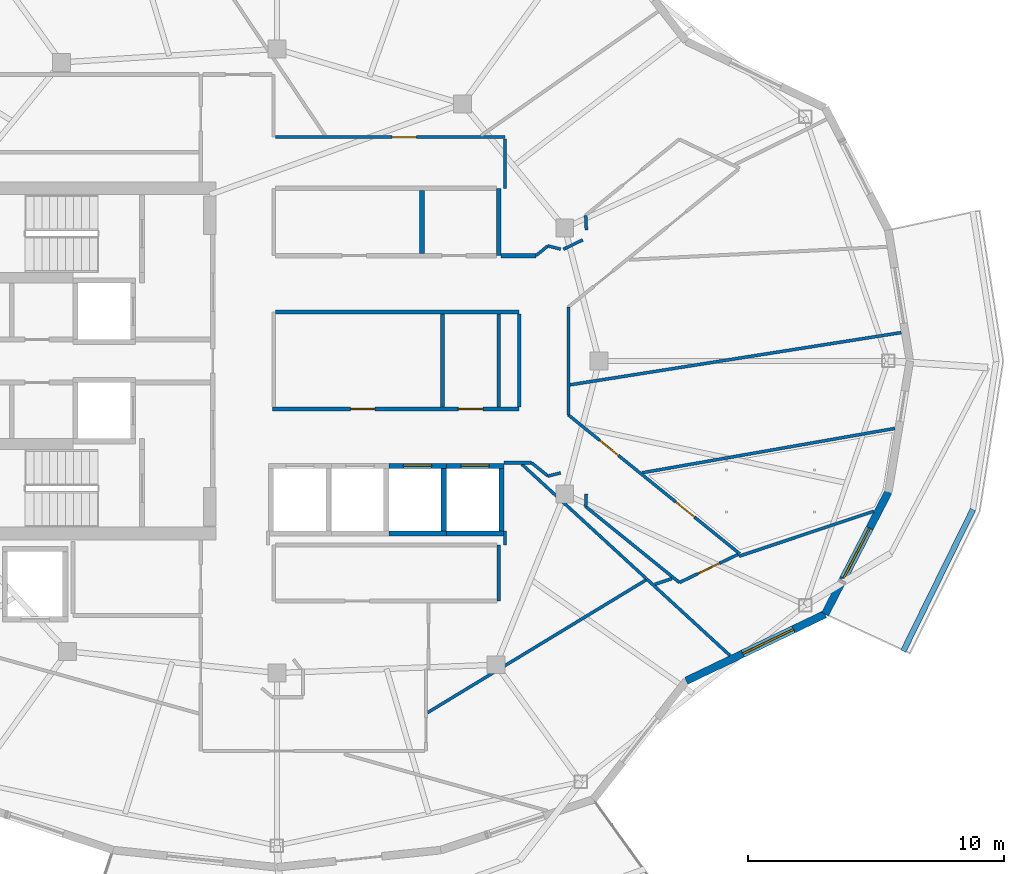
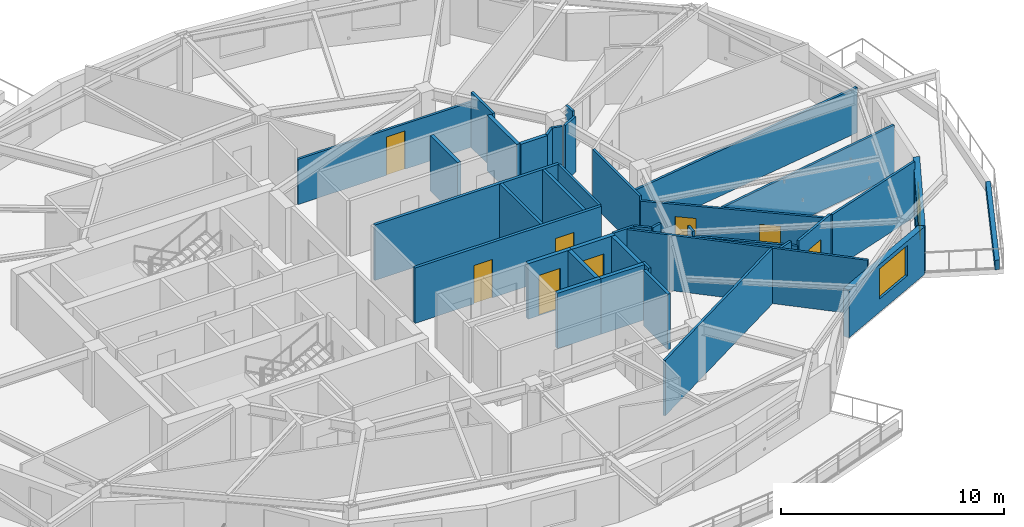
# One storey, part 5 of 14: 40 walls, 8 doors, 2 windows, 10 openings.
"""IFC4 building model written with IfcOpenShell, lengths in metres."""

from ifc_helpers import new_model, si_unit, direction, frame, frame_2d, origin, place, context, subcontext, project, spatial, rectangle, extrude, material, layer, layer_set, type_object, element, fill, save


model = new_model("IFC4")

# Units and contexts
model_context = context("Model", 3, precision=1e-05, world=origin(), true_north=direction((0.0, 1.0)))
body_context = subcontext(model_context, "Body", "Model", "MODEL_VIEW")
ifc_project = project(units=[si_unit("LENGTHUNIT", "METRE"), si_unit("AREAUNIT", "SQUARE_METRE"), si_unit("VOLUMEUNIT", "CUBIC_METRE"), si_unit("PLANEANGLEUNIT", "RADIAN"), si_unit("MASSUNIT", "GRAM", prefix="KILO")], contexts=[model_context])

# Site, building, storey
site_placement = place(None, origin())
site = spatial("IfcSite", under=ifc_project, at=site_placement, CompositionType="ELEMENT")
building_placement = place(site_placement, origin())
building = spatial("IfcBuilding", under=site, at=building_placement, Name="Kolvaren Gate Tower and Convention Centre", CompositionType="ELEMENT")
storey_placement = place(building_placement, frame((0.0, 0.0, 222.800048828125)))
storey = spatial("IfcBuildingStorey", under=building, at=storey_placement, Name="L59", CompositionType="ELEMENT", Elevation=222.800048828125)

# Walls
ifc_material_1 = material(Name="Autoclaved Aerated Masonry Blockwork Class 4 (4.0 MPa)", Category="masonry")
ifc_layer_1 = layer(ifc_material_1, 0.179931640625)
ifc_layer_set_1 = layer_set([ifc_layer_1], Name="Autoclaved Aerated Masonry Blockwork Class 4 (4.0 MPa)")
wall_type_1 = type_object("IfcWallType", Name="ARCH-WL-COMP-180", PredefinedType="SOLIDWALL", material=ifc_layer_set_1)
wall_1_placement = place(storey_placement, frame((38.800048828125, 31.1201171875, 0.0), z_axis=(0.0, 0.0, 1.0), x_axis=(0.0, 1.0, 0.0)))
element("IfcWall", 1, at=wall_1_placement, inside=storey, type_object=wall_type_1, Name="Interior Partition WL-L59-INT-022", PredefinedType="SOLIDWALL", context=body_context, shape_type="SweptSolid", body=[
    extrude(rectangle(XDim=2.6298828125, YDim=0.179931640625, at=frame_2d((1.31494140625, 0.0))), origin(), (0.0, 0.0, 1.0), 3.030029296875),
])
wall_2_placement = place(storey_placement, frame((38.89208984375, 31.1201171875, 0.0), z_axis=(0.0, 0.0, 1.0), x_axis=(1.0, 0.0, 0.0)))
element("IfcWall", 2, at=wall_2_placement, inside=storey, type_object=wall_type_1, Name="Interior Partition WL-L59-INT-023 (2)", PredefinedType="SOLIDWALL", context=body_context, shape_type="SweptSolid", body=[
    extrude(rectangle(XDim=1.36279296875, YDim=0.179931640625, at=frame_2d((0.681396484375, 0.0))), origin(), (0.0, 0.0, 1.0), 3.030029296875),
])
wall_3_placement = place(storey_placement, frame((35.800048828125, 31.2119140625, 0.0), z_axis=(0.0, 0.0, 1.0), x_axis=(0.0, 1.0, 0.0)))
element("IfcWall", 3, at=wall_3_placement, inside=storey, type_object=wall_type_1, Name="Interior Partition WL-L59-INT-025", PredefinedType="SOLIDWALL", context=body_context, shape_type="SweptSolid", body=[
    extrude(rectangle(XDim=2.446044921875, YDim=0.179931640625, at=frame_2d((1.22314453125, 0.0))), origin(), (0.0, 0.0, 1.0), 3.030029296875),
])

# Wall, opening, door
ifc_material_2 = material(Name="Fire-Rated Acoustic Gypsum Stud Partition", Category="gypsum")
ifc_layer_2 = layer(ifc_material_2, 0.1201171875)
ifc_layer_set_2 = layer_set([ifc_layer_2], Name="Fire-Rated Acoustic Gypsum Stud Partition")
wall_type_2 = type_object("IfcWallType", Name="ARCH-WL-PART-120", PredefinedType="PARTITIONING", material=ifc_layer_set_2)
wall_4_placement = place(storey_placement, frame((30.06201171875, 35.75, 0.0), z_axis=(0.0, 0.0, 1.0), x_axis=(1.0, 0.0, 0.0)))
wall_4 = element("IfcWall", 4, at=wall_4_placement, inside=storey, type_object=wall_type_2, Name="Interior Partition WL-L59-INT-031", PredefinedType="PARTITIONING", context=body_context, shape_type="SweptSolid", body=[
    extrude(rectangle(XDim=8.988037109375, YDim=0.1201171875, at=frame_2d((4.494140625, 0.0))), origin(), (0.0, 0.0, 1.0), 2.47802734375),
])
opening_1_placement = place(wall_4_placement, frame((4.566650390625, 0.0, 0.0)))
opening_1 = element("IfcOpeningElement", 5, at=opening_1_placement, cuts=wall_4, Name="Opening DR-01", PredefinedType="OPENING", context=body_context, shape_type="SweptSolid", body=[
    extrude(rectangle(XDim=0.949951171875, YDim=2.10009765625, at=frame_2d((0.47509765625, 1.050048828125))), frame((0.0, 0.070068359375, 0.0), z_axis=(0.0, -1.0, 0.0), x_axis=(1.0, 0.0, 0.0)), (0.0, 0.0, 1.0), 0.14013671875),
])
ifc_material_3 = material(Name="Painted Architectural Steelwork ASTM A500 Grade C 345 MPa", Category="steel")
door_type_1 = type_object("IfcDoorType", Name="ARCH-DR-RISER-950", OperationType="SINGLE_SWING_RIGHT", PredefinedType="DOOR", material=ifc_material_3)
door_1_placement = place(opening_1_placement, origin())
door_1 = element("IfcDoor", 6, at=door_1_placement, inside=storey, type_object=door_type_1, Name="Resident Private Study and Home Office Door", OperationType="SINGLE_SWING_LEFT", OverallHeight=2.10009765625, OverallWidth=0.949951171875, PredefinedType="DOOR", context=body_context, shape_type="SweptSolid", body=[
    extrude(rectangle(XDim=0.949951171875, YDim=2.10009765625, at=frame_2d((0.47509765625, 1.050048828125))), frame((0.0, 0.02490234375, 0.0), z_axis=(0.0, -1.0, 0.0), x_axis=(1.0, 0.0, 0.0)), (0.0, 0.0, 1.0), 0.050048828125),
])
fill(opening_1, door_1)

# Walls
wall_5_placement = place(storey_placement, frame((39.050048828125, 19.800048828125, 0.0), z_axis=(0.0, 0.0, 1.0), x_axis=(0.0, 1.0, 0.0)))
element("IfcWall", 7, at=wall_5_placement, inside=storey, type_object=wall_type_2, Name="Interior Partition WL-L59-INT-032", PredefinedType="PARTITIONING", context=body_context, shape_type="SweptSolid", body=[
    extrude(rectangle(XDim=0.56005859375, YDim=0.1201171875, at=frame_2d((0.280029296875, 0.0))), origin(), (0.0, 0.0, 1.0), 3.030029296875),
])
wall_6_placement = place(storey_placement, frame((39.050048828125, 33.75, 0.0), z_axis=(0.0, 0.0, 1.0), x_axis=(0.0, 1.0, 0.0)))
element("IfcWall", 8, at=wall_6_placement, inside=storey, type_object=wall_type_2, Name="Interior Partition WL-L59-INT-033", PredefinedType="PARTITIONING", context=body_context, shape_type="SweptSolid", body=[
    extrude(rectangle(XDim=1.93798828125, YDim=0.1201171875, at=frame_2d((0.968994140625, 0.0))), origin(), (0.0, 0.0, 1.0), 3.030029296875),
])
wall_7_placement = place(storey_placement, frame((40.2548828125, 31.1201171875, 0.0), z_axis=(0.0, 0.0, 1.0), x_axis=(0.776423627794, 0.630211353598, 0.0)))
element("IfcWall", 9, at=wall_7_placement, inside=storey, type_object=wall_type_2, Name="Interior Partition WL-L59-INT-034", PredefinedType="PARTITIONING", context=body_context, shape_type="SweptSolid", body=[
    extrude(rectangle(XDim=0.602783203125, YDim=0.1201171875, at=frame_2d((0.30126953125, 0.0))), origin(), (0.0, 0.0, 1.0), 3.030029296875),
])
wall_8_placement = place(storey_placement, frame((40.722900390625, 31.5, 0.0), z_axis=(0.0, 0.0, 1.0), x_axis=(0.970029850173, -0.24298578101, 0.0)))
element("IfcWall", 10, at=wall_8_placement, inside=storey, type_object=wall_type_2, Name="Interior Partition WL-L59-INT-036", PredefinedType="PARTITIONING", context=body_context, shape_type="SweptSolid", body=[
    extrude(rectangle(XDim=0.510498046875, YDim=0.1201171875, at=frame_2d((0.25537109375, 0.0))), origin(), (0.0, 0.0, 1.0), 3.030029296875),
])
wall_9_placement = place(storey_placement, frame((42.197998046875, 32.694091796875, 0.0), z_axis=(0.0, 0.0, 1.0), x_axis=(0.048629948931, -0.998816864128, 0.0)))
element("IfcWall", 11, at=wall_9_placement, inside=storey, type_object=wall_type_2, Name="Interior Partition WL-L59-INT-037", PredefinedType="PARTITIONING", context=body_context, shape_type="SweptSolid", body=[
    extrude(rectangle(XDim=0.577392578125, YDim=0.1201171875, at=frame_2d((0.28857421875, 0.0))), origin(), (0.0, 0.0, 1.0), 3.030029296875),
])
wall_10_placement = place(storey_placement, frame((41.52001953125, 24.89208984375, 0.0), z_axis=(0.0, 0.0, 1.0), x_axis=(0.0, 1.0, 0.0)))
element("IfcWall", 12, at=wall_10_placement, inside=storey, type_object=wall_type_2, Name="Interior Partition WL-L59-INT-040", PredefinedType="PARTITIONING", context=body_context, shape_type="SweptSolid", body=[
    extrude(rectangle(XDim=4.2158203125, YDim=0.1201171875, at=frame_2d((2.10791015625, 0.0))), origin(), (0.0, 0.0, 1.0), 3.030029296875),
])

# Wall, openings, doors
wall_11_placement = place(storey_placement, frame((41.52001953125, 24.89208984375, 0.0), z_axis=(0.0, 0.0, 1.0), x_axis=(0.777027167904, -0.629467060567, 0.0)))
wall_11 = element("IfcWall", 13, at=wall_11_placement, inside=storey, type_object=wall_type_2, Name="Interior Partition WL-L59-INT-041", PredefinedType="PARTITIONING", context=body_context, shape_type="SweptSolid", body=[
    extrude(rectangle(XDim=8.6201171875, YDim=0.1201171875, at=frame_2d((4.31005859375, 0.0))), origin(), (0.0, 0.0, 1.0), 2.77001953125),
])
opening_2_placement = place(wall_11_placement, frame((5.399658203125, 0.0, 0.0)))
opening_2 = element("IfcOpeningElement", 14, at=opening_2_placement, cuts=wall_11, Name="Opening DR-01", PredefinedType="OPENING", context=body_context, shape_type="SweptSolid", body=[
    extrude(rectangle(XDim=0.949951171875, YDim=2.10009765625, at=frame_2d((0.47509765625, 1.050048828125))), frame((0.0, 0.070068359375, 0.0), z_axis=(0.0, -1.0, 0.0), x_axis=(1.0, 0.0, 0.0)), (0.0, 0.0, 1.0), 0.14013671875),
])
opening_3_placement = place(wall_11_placement, frame((1.577880859375, 0.0, 0.0)))
opening_3 = element("IfcOpeningElement", 15, at=opening_3_placement, cuts=wall_11, Name="Opening DR-01", PredefinedType="OPENING", context=body_context, shape_type="SweptSolid", body=[
    extrude(rectangle(XDim=0.949951171875, YDim=2.10009765625, at=frame_2d((0.47509765625, 1.050048828125))), frame((0.0, 0.070068359375, 0.0), z_axis=(0.0, -1.0, 0.0), x_axis=(1.0, 0.0, 0.0)), (0.0, 0.0, 1.0), 0.14013671875),
])
door_2_placement = place(opening_2_placement, origin())
door_2 = element("IfcDoor", 16, at=door_2_placement, inside=storey, type_object=door_type_1, Name="Resident Sauna and Wellness Spa Door", OperationType="SINGLE_SWING_RIGHT", OverallHeight=2.10009765625, OverallWidth=0.949951171875, PredefinedType="DOOR", context=body_context, shape_type="SweptSolid", body=[
    extrude(rectangle(XDim=0.949951171875, YDim=2.10009765625, at=frame_2d((0.47509765625, 1.050048828125))), frame((0.0, 0.02490234375, 0.0), z_axis=(0.0, -1.0, 0.0), x_axis=(1.0, 0.0, 0.0)), (0.0, 0.0, 1.0), 0.050048828125),
])
fill(opening_2, door_2)
door_3_placement = place(opening_3_placement, origin())
door_3 = element("IfcDoor", 17, at=door_3_placement, inside=storey, type_object=door_type_1, Name="Resident Private Study Door", OperationType="SINGLE_SWING_LEFT", OverallHeight=2.10009765625, OverallWidth=0.949951171875, PredefinedType="DOOR", context=body_context, shape_type="SweptSolid", body=[
    extrude(rectangle(XDim=0.949951171875, YDim=2.10009765625, at=frame_2d((0.47509765625, 1.050048828125))), frame((0.0, 0.02490234375, 0.0), z_axis=(0.0, -1.0, 0.0), x_axis=(1.0, 0.0, 0.0)), (0.0, 0.0, 1.0), 0.050048828125),
])
fill(opening_3, door_3)

# Wall, opening, door
wall_12_placement = place(storey_placement, frame((45.864013671875, 18.3359375, 0.0), z_axis=(0.0, 0.0, 1.0), x_axis=(0.901512568896, 0.432752918097, 0.0)))
wall_12 = element("IfcWall", 18, at=wall_12_placement, inside=storey, type_object=wall_type_2, Name="Interior Partition WL-L59-INT-042", PredefinedType="PARTITIONING", context=body_context, shape_type="SweptSolid", body=[
    extrude(rectangle(XDim=2.542724609375, YDim=0.1201171875, at=frame_2d((1.271484375, 0.0))), origin(), (0.0, 0.0, 1.0), 3.030029296875),
])
opening_4_placement = place(wall_12_placement, frame((0.79638671875, 0.0, 0.0)))
opening_4 = element("IfcOpeningElement", 19, at=opening_4_placement, cuts=wall_12, Name="Opening DR-01", PredefinedType="OPENING", context=body_context, shape_type="SweptSolid", body=[
    extrude(rectangle(XDim=0.949951171875, YDim=2.10009765625, at=frame_2d((0.47509765625, 1.050048828125))), frame((0.0, 0.070068359375, 0.0), z_axis=(0.0, -1.0, 0.0), x_axis=(1.0, 0.0, 0.0)), (0.0, 0.0, 1.0), 0.14013671875),
])
door_4_placement = place(opening_4_placement, origin())
door_4 = element("IfcDoor", 20, at=door_4_placement, inside=storey, type_object=door_type_1, Name="Resident Sauna and Wellness Spa Door", OperationType="SINGLE_SWING_LEFT", OverallHeight=2.10009765625, OverallWidth=0.949951171875, PredefinedType="DOOR", context=body_context, shape_type="SweptSolid", body=[
    extrude(rectangle(XDim=0.949951171875, YDim=2.10009765625, at=frame_2d((0.47509765625, 1.050048828125))), frame((0.0, 0.02490234375, 0.0), z_axis=(0.0, -1.0, 0.0), x_axis=(1.0, 0.0, 0.0)), (0.0, 0.0, 1.0), 0.050048828125),
])
fill(opening_4, door_4)

# Walls
wall_13_placement = place(storey_placement, frame((40.08203125, 23.020263671875, 0.0), z_axis=(0.0, 0.0, 1.0), x_axis=(0.776900403314, -0.629623509195, 0.0)))
element("IfcWall", 21, at=wall_13_placement, inside=storey, type_object=wall_type_2, Name="Interior Partition WL-L59-INT-043", PredefinedType="PARTITIONING", context=body_context, shape_type="SweptSolid", body=[
    extrude(rectangle(XDim=0.825439453125, YDim=0.1201171875, at=frame_2d((0.41259765625, 0.0))), origin(), (0.0, 0.0, 1.0), 3.030029296875),
])
wall_14_placement = place(storey_placement, frame((42.197998046875, 21.305908203125, 0.0), z_axis=(0.0, 0.0, 1.0), x_axis=(0.777012245854, -0.629485480208, 0.0)))
element("IfcWall", 22, at=wall_14_placement, inside=storey, type_object=wall_type_2, Name="Interior Partition WL-L59-INT-044", PredefinedType="PARTITIONING", context=body_context, shape_type="SweptSolid", body=[
    extrude(rectangle(XDim=4.718017578125, YDim=0.1201171875, at=frame_2d((2.35888671875, 0.0))), origin(), (0.0, 0.0, 1.0), 2.77001953125),
])
wall_15_placement = place(storey_placement, frame((42.197998046875, 21.305908203125, 0.0), z_axis=(0.0, 0.0, 1.0), x_axis=(0.048267148556, 0.998834461946, 0.0)))
element("IfcWall", 23, at=wall_15_placement, inside=storey, type_object=wall_type_2, Name="Interior Partition WL-L59-INT-045", PredefinedType="PARTITIONING", context=body_context, shape_type="SweptSolid", body=[
    extrude(rectangle(XDim=0.49560546875, YDim=0.1201171875, at=frame_2d((0.247802734375, 0.0))), origin(), (0.0, 0.0, 1.0), 3.030029296875),
])
wall_16_placement = place(storey_placement, frame((40.722900390625, 22.5, 0.0), z_axis=(0.0, 0.0, 1.0), x_axis=(0.970029850173, 0.24298578101, 0.0)))
element("IfcWall", 24, at=wall_16_placement, inside=storey, type_object=wall_type_2, Name="Interior Partition WL-L59-INT-046", PredefinedType="PARTITIONING", context=body_context, shape_type="SweptSolid", body=[
    extrude(rectangle(XDim=0.510498046875, YDim=0.1201171875, at=frame_2d((0.25537109375, 0.0))), origin(), (0.0, 0.0, 1.0), 3.030029296875),
])
wall_17_placement = place(storey_placement, frame((39.0, 23.02001953125, 0.0), z_axis=(0.0, 0.0, 1.0), x_axis=(1.0, 0.0, 0.0)))
element("IfcWall", 25, at=wall_17_placement, inside=storey, type_object=wall_type_2, Name="Interior Partition WL-L59-INT-047", PredefinedType="PARTITIONING", context=body_context, shape_type="SweptSolid", body=[
    extrude(rectangle(XDim=1.081787109375, YDim=0.1201171875, at=frame_2d((0.541015625, 0.0))), origin(), (0.0, 0.0, 1.0), 3.030029296875),
])
wall_18_placement = place(storey_placement, frame((39.60009765625, 25.197021484375, 0.0), z_axis=(0.0, 0.0, 1.0), x_axis=(0.0, 1.0, 0.0)))
element("IfcWall", 26, at=wall_18_placement, inside=storey, type_object=wall_type_2, Name="Interior Partition WL-L59-INT-052", PredefinedType="PARTITIONING", context=body_context, shape_type="SweptSolid", body=[
    extrude(rectangle(XDim=3.64599609375, YDim=0.1201171875, at=frame_2d((1.822998046875, 0.0))), origin(), (0.0, 0.0, 1.0), 3.030029296875),
])
wall_19_placement = place(storey_placement, frame((41.58203125, 26.06640625, 0.0), z_axis=(0.0, 0.0, 1.0), x_axis=(0.987780616659, 0.155850740621, 0.0)))
element("IfcWall", 27, at=wall_19_placement, inside=storey, type_object=wall_type_2, Name="Interior Partition WL-L59-INT-058", PredefinedType="PARTITIONING", context=body_context, shape_type="SweptSolid", body=[
    extrude(rectangle(XDim=13.1162109375, YDim=0.1201171875, at=frame_2d((6.55810546875, 0.0))), origin(), (0.0, 0.0, 1.0), 2.47802734375),
])
wall_20_placement = place(storey_placement, frame((36.011962890625, 13.246826171875, 0.0), z_axis=(0.0, 0.0, 1.0), x_axis=(0.85474937032, 0.519040955934, 0.0)))
element("IfcWall", 28, at=wall_20_placement, inside=storey, type_object=wall_type_2, Name="Interior Partition WL-L59-INT-061", PredefinedType="PARTITIONING", context=body_context, shape_type="SweptSolid", body=[
    extrude(rectangle(XDim=10.03955078125, YDim=0.1201171875, at=frame_2d((5.019775390625, 0.0))), origin(), (0.0, 0.0, 1.0), 3.030029296875),
])
wall_21_placement = place(storey_placement, frame((39.70556640625, 22.9580078125, 0.0), z_axis=(0.0, 0.0, 1.0), x_axis=(0.73633751064, -0.676614417837, 0.0)))
element("IfcWall", 29, at=wall_21_placement, inside=storey, type_object=wall_type_2, Name="Interior Partition WL-L59-INT-062", PredefinedType="PARTITIONING", context=body_context, shape_type="SweptSolid", body=[
    extrude(rectangle(XDim=6.58154296875, YDim=0.1201171875, at=frame_2d((3.290771484375, 0.0))), origin(), (0.0, 0.0, 1.0), 3.030029296875),
])
wall_22_placement = place(storey_placement, frame((44.580810546875, 18.47802734375, 0.0), z_axis=(0.0, 0.0, 1.0), x_axis=(0.736361674887, -0.676588119729, 0.0)))
element("IfcWall", 30, at=wall_22_placement, inside=storey, type_object=wall_type_2, Name="Interior Partition WL-L59-INT-062 (2)", PredefinedType="PARTITIONING", context=body_context, shape_type="SweptSolid", body=[
    extrude(rectangle(XDim=4.427490234375, YDim=0.1201171875, at=frame_2d((2.2138671875, 0.0))), origin(), (0.0, 0.0, 1.0), 3.030029296875),
])
wall_23_placement = place(storey_placement, frame((44.902587890625, 18.2666015625, 0.0), z_axis=(0.0, 0.0, 1.0), x_axis=(0.948614335511, 0.316434578488, 0.0)))
element("IfcWall", 31, at=wall_23_placement, inside=storey, type_object=wall_type_2, Name="Interior Partition WL-L59-INT-063", PredefinedType="PARTITIONING", context=body_context, shape_type="SweptSolid", body=[
    extrude(rectangle(XDim=0.708251953125, YDim=0.1201171875, at=frame_2d((0.35400390625, 0.0))), origin(), (0.0, 0.0, 1.0), 3.030029296875),
])
wall_24_placement = place(storey_placement, frame((48.19091796875, 19.364013671875, 0.0), z_axis=(0.0, 0.0, 1.0), x_axis=(0.948573630056, 0.316556580033, 0.0)))
element("IfcWall", 32, at=wall_24_placement, inside=storey, type_object=wall_type_2, Name="Interior Partition WL-L59-INT-064", PredefinedType="PARTITIONING", context=body_context, shape_type="SweptSolid", body=[
    extrude(rectangle(XDim=5.568359375, YDim=0.1201171875, at=frame_2d((2.7841796875, 0.0))), origin(), (0.0, 0.0, 1.0), 3.030029296875),
])
wall_25_placement = place(storey_placement, frame((44.411865234375, 22.629150390625, 0.0), z_axis=(0.0, 0.0, 1.0), x_axis=(0.984937605234, 0.172910132136, 0.0)))
element("IfcWall", 33, at=wall_25_placement, inside=storey, type_object=wall_type_2, Name="Interior Partition WL-L59-INT-065", PredefinedType="PARTITIONING", context=body_context, shape_type="SweptSolid", body=[
    extrude(rectangle(XDim=10.0263671875, YDim=0.1201171875, at=frame_2d((5.01318359375, 0.0))), origin(), (0.0, 0.0, 1.0), 2.77001953125),
])
wall_26_placement = place(storey_placement, frame((41.326171875, 31.363525390625, 0.0), z_axis=(0.0, 0.0, 1.0), x_axis=(0.896444200568, 0.443156626112, 0.0)))
element("IfcWall", 34, at=wall_26_placement, inside=storey, type_object=wall_type_2, Name="Interior Partition WL-L59-INT-067", PredefinedType="PARTITIONING", context=body_context, shape_type="SweptSolid", body=[
    extrude(rectangle(XDim=0.843505859375, YDim=0.1201171875, at=frame_2d((0.421875, 0.0))), origin(), (0.0, 0.0, 1.0), 3.030029296875),
])
ifc_material_4 = material(Name="Piedmont Cream Honed Limestone Cladding", Category="masonry")
ifc_layer_3 = layer(ifc_material_4, 0.219970703125)
ifc_layer_set_3 = layer_set([ifc_layer_3], Name="Piedmont Cream Honed Limestone Cladding")
wall_type_3 = type_object("IfcWallType", Name="ARCH-WL-PLANTER-220", PredefinedType="PARAPET", material=ifc_layer_set_3)
wall_27_placement = place(storey_placement, frame((54.615966796875, 15.6533203125, 0.0), z_axis=(0.0, 0.0, 1.0), x_axis=(0.441640961804, 0.897191875162, 0.0)))
element("IfcWall", 35, at=wall_27_placement, inside=storey, type_object=wall_type_3, Name="Vertical-Forest Balcony Stone Planter Kerb PK-L59-4.1", PredefinedType="PARAPET", context=body_context, shape_type="SweptSolid", body=[
    extrude(rectangle(XDim=6.17822265625, YDim=0.219970703125, at=frame_2d((3.089111328125, 0.0))), origin(), (0.0, 0.0, 1.0), 0.52001953125),
])

# Wall, opening, door
ifc_layer_4 = layer(ifc_material_1, 0.199951171875)
ifc_layer_set_4 = layer_set([ifc_layer_4], Name="Autoclaved Aerated Masonry Blockwork Class 4 (4.0 MPa)")
wall_type_4 = type_object("IfcWallType", Name="ARCH-WL-SHAFT-200", PredefinedType="SOLIDWALL", material=ifc_layer_set_4)
wall_28_placement = place(storey_placement, frame((34.5, 22.89990234375, 0.0), z_axis=(0.0, 0.0, 1.0), x_axis=(1.0, 0.0, 0.0)))
wall_28 = element("IfcWall", 36, at=wall_28_placement, inside=storey, type_object=wall_type_4, Name="Elevator PL-11 L59 Fire Shaft Wall N", PredefinedType="SOLIDWALL", context=body_context, shape_type="SweptSolid", body=[
    extrude(rectangle(XDim=2.25, YDim=0.199951171875, at=frame_2d((1.125, 0.0))), origin(), (0.0, 0.0, 1.0), 3.030029296875),
])
opening_5_placement = place(wall_28_placement, frame((0.574951171875, 0.0, 0.0)))
opening_5 = element("IfcOpeningElement", 37, at=opening_5_placement, cuts=wall_28, Name="Opening LD", PredefinedType="OPENING", context=body_context, shape_type="SweptSolid", body=[
    extrude(rectangle(XDim=1.10009765625, YDim=2.199951171875, at=frame_2d((0.550048828125, 1.10009765625))), frame((0.0, 0.10986328125, 0.0), z_axis=(0.0, -1.0, 0.0), x_axis=(1.0, 0.0, 0.0)), (0.0, 0.0, 1.0), 0.219970703125),
])
ifc_material_5 = material(Name="Brushed Stainless Steel Grade 316L", Category="steel")
door_type_2 = type_object("IfcDoorType", Name="ARCH-DR-LIFT-1100", OperationType="SLIDING_TO_LEFT", PredefinedType="DOOR", material=ifc_material_5)
door_5_placement = place(opening_5_placement, origin())
door_5 = element("IfcDoor", 38, at=door_5_placement, inside=storey, type_object=door_type_2, Name="Elevator PL-11 L59 Sliding Landing Door", OperationType="SLIDING_TO_LEFT", OverallHeight=2.199951171875, OverallWidth=1.10009765625, PredefinedType="DOOR", context=body_context, shape_type="SweptSolid", body=[
    extrude(rectangle(XDim=1.10009765625, YDim=2.199951171875, at=frame_2d((0.550048828125, 1.10009765625))), frame((0.0, 0.02490234375, 0.0), z_axis=(0.0, -1.0, 0.0), x_axis=(1.0, 0.0, 0.0)), (0.0, 0.0, 1.0), 0.050048828125),
])
fill(opening_5, door_5)

# Walls
wall_29_placement = place(storey_placement, frame((34.5, 20.25, 0.0), z_axis=(0.0, 0.0, 1.0), x_axis=(1.0, 0.0, 0.0)))
element("IfcWall", 39, at=wall_29_placement, inside=storey, type_object=wall_type_4, Name="Elevator PL-11 L59 Fire Shaft Wall S", PredefinedType="SOLIDWALL", context=body_context, shape_type="SweptSolid", body=[
    extrude(rectangle(XDim=2.25, YDim=0.199951171875, at=frame_2d((1.125, 0.0))), origin(), (0.0, 0.0, 1.0), 3.030029296875),
])
wall_30_placement = place(storey_placement, frame((36.64990234375, 20.360107421875, 0.0), z_axis=(0.0, 0.0, 1.0), x_axis=(0.0, 1.0, 0.0)))
element("IfcWall", 40, at=wall_30_placement, inside=storey, type_object=wall_type_4, Name="Elevator PL-11 L59 Fire Shaft Wall E", PredefinedType="SOLIDWALL", context=body_context, shape_type="SweptSolid", body=[
    extrude(rectangle(XDim=2.429931640625, YDim=0.199951171875, at=frame_2d((1.21484375, 0.0))), origin(), (0.0, 0.0, 1.0), 3.030029296875),
])

# Wall, opening, door
wall_31_placement = place(storey_placement, frame((36.75, 22.89990234375, 0.0), z_axis=(0.0, 0.0, 1.0), x_axis=(1.0, 0.0, 0.0)))
wall_31 = element("IfcWall", 41, at=wall_31_placement, inside=storey, type_object=wall_type_4, Name="Elevator PL-12 L59 Fire Shaft Wall N", PredefinedType="SOLIDWALL", context=body_context, shape_type="SweptSolid", body=[
    extrude(rectangle(XDim=2.25, YDim=0.199951171875, at=frame_2d((1.125, 0.0))), origin(), (0.0, 0.0, 1.0), 3.030029296875),
])
opening_6_placement = place(wall_31_placement, frame((0.574951171875, 0.0, 0.0)))
opening_6 = element("IfcOpeningElement", 42, at=opening_6_placement, cuts=wall_31, Name="Opening LD", PredefinedType="OPENING", context=body_context, shape_type="SweptSolid", body=[
    extrude(rectangle(XDim=1.10009765625, YDim=2.199951171875, at=frame_2d((0.550048828125, 1.10009765625))), frame((0.0, 0.10986328125, 0.0), z_axis=(0.0, -1.0, 0.0), x_axis=(1.0, 0.0, 0.0)), (0.0, 0.0, 1.0), 0.219970703125),
])
door_6_placement = place(opening_6_placement, origin())
door_6 = element("IfcDoor", 43, at=door_6_placement, inside=storey, type_object=door_type_2, Name="Elevator PL-12 L59 Sliding Landing Door", OperationType="SLIDING_TO_LEFT", OverallHeight=2.199951171875, OverallWidth=1.10009765625, PredefinedType="DOOR", context=body_context, shape_type="SweptSolid", body=[
    extrude(rectangle(XDim=1.10009765625, YDim=2.199951171875, at=frame_2d((0.550048828125, 1.10009765625))), frame((0.0, 0.02490234375, 0.0), z_axis=(0.0, -1.0, 0.0), x_axis=(1.0, 0.0, 0.0)), (0.0, 0.0, 1.0), 0.050048828125),
])
fill(opening_6, door_6)

# Walls
wall_32_placement = place(storey_placement, frame((36.75, 20.25, 0.0), z_axis=(0.0, 0.0, 1.0), x_axis=(1.0, 0.0, 0.0)))
element("IfcWall", 44, at=wall_32_placement, inside=storey, type_object=wall_type_4, Name="Elevator PL-12 L59 Fire Shaft Wall S", PredefinedType="SOLIDWALL", context=body_context, shape_type="SweptSolid", body=[
    extrude(rectangle(XDim=2.25, YDim=0.199951171875, at=frame_2d((1.125, 0.0))), origin(), (0.0, 0.0, 1.0), 3.030029296875),
])
wall_33_placement = place(storey_placement, frame((38.89990234375, 20.360107421875, 0.0), z_axis=(0.0, 0.0, 1.0), x_axis=(0.0, 1.0, 0.0)))
element("IfcWall", 45, at=wall_33_placement, inside=storey, type_object=wall_type_4, Name="Elevator PL-12 L59 Fire Shaft Wall E", PredefinedType="SOLIDWALL", context=body_context, shape_type="SweptSolid", body=[
    extrude(rectangle(XDim=2.429931640625, YDim=0.199951171875, at=frame_2d((1.21484375, 0.0))), origin(), (0.0, 0.0, 1.0), 3.030029296875),
])

# Wall, opening, window
ifc_layer_5 = layer(ifc_material_4, 0.300048828125)
ifc_layer_set_5 = layer_set([ifc_layer_5], Name="Piedmont Cream Honed Limestone Cladding")
wall_type_5 = type_object("IfcWallType", Name="ARCH-WL-STONE-300", PredefinedType="SOLIDWALL", material=ifc_layer_set_5)
wall_34_placement = place(storey_placement, frame((46.132568359375, 14.49267578125, 0.0), z_axis=(0.0, 0.0, 1.0), x_axis=(0.901348331142, 0.433094892545, 0.0)))
wall_34 = element("IfcWall", 46, at=wall_34_placement, inside=storey, type_object=wall_type_5, Name="Tower L59 Honed Stone Spandrel Wall EW-21", PredefinedType="SOLIDWALL", context=body_context, shape_type="SweptSolid", body=[
    extrude(rectangle(XDim=6.0205078125, YDim=0.300048828125, at=frame_2d((3.01025390625, 0.0))), origin(), (0.0, 0.0, 1.0), 2.60498046875),
])
opening_7_placement = place(wall_34_placement, frame((2.449951171875, 0.0, 0.719970703125)))
opening_7 = element("IfcOpeningElement", 47, at=opening_7_placement, cuts=wall_34, Name="Opening W-03", PredefinedType="OPENING", context=body_context, shape_type="SweptSolid", body=[
    extrude(rectangle(XDim=2.199951171875, YDim=1.64990234375, at=frame_2d((1.10009765625, 0.824951171875))), frame((0.0, 0.159912109375, 0.0), z_axis=(0.0, -1.0, 0.0), x_axis=(1.0, 0.0, 0.0)), (0.0, 0.0, 1.0), 0.320068359375),
])
ifc_material_6 = material(Name="Low-E Triple Insulated Glazing Unit 44 mm", Category="glass")
window_type = type_object("IfcWindowType", Name="ARCH-WN-RES-2200", PartitioningType="SINGLE_PANEL", PredefinedType="WINDOW", material=ifc_material_6)
window_1_placement = place(opening_7_placement, origin())
window_1 = element("IfcWindow", 48, at=window_1_placement, inside=storey, type_object=window_type, Name="Tower L59 Punched Stone Facade Window W-21", OverallHeight=1.64990234375, OverallWidth=2.199951171875, PartitioningType="SINGLE_PANEL", PredefinedType="WINDOW", context=body_context, shape_type="SweptSolid", body=[
    extrude(rectangle(XDim=2.199951171875, YDim=1.64990234375, at=frame_2d((1.10009765625, 0.824951171875))), frame((0.0, 0.030029296875, 0.0), z_axis=(0.0, -1.0, 0.0), x_axis=(1.0, 0.0, 0.0)), (0.0, 0.0, 1.0), 0.06005859375),
])
fill(opening_7, window_1)

wall_35_placement = place(storey_placement, frame((51.55908203125, 17.10009765625, 0.0), z_axis=(0.0, 0.0, 1.0), x_axis=(0.459808219482, 0.888018243786, 0.0)))
wall_35 = element("IfcWall", 49, at=wall_35_placement, inside=storey, type_object=wall_type_5, Name="Tower L59 Honed Stone Spandrel Wall EW-22", PredefinedType="SOLIDWALL", context=body_context, shape_type="SweptSolid", body=[
    extrude(rectangle(XDim=5.377685546875, YDim=0.300048828125, at=frame_2d((2.68896484375, 0.0))), origin(), (0.0, 0.0, 1.0), 2.60498046875),
])
opening_8_placement = place(wall_35_placement, frame((1.589111328125, 0.0, 0.719970703125)))
opening_8 = element("IfcOpeningElement", 50, at=opening_8_placement, cuts=wall_35, Name="Opening W-03", PredefinedType="OPENING", context=body_context, shape_type="SweptSolid", body=[
    extrude(rectangle(XDim=2.199951171875, YDim=1.64990234375, at=frame_2d((1.10009765625, 0.824951171875))), frame((0.0, 0.159912109375, 0.0), z_axis=(0.0, -1.0, 0.0), x_axis=(1.0, 0.0, 0.0)), (0.0, 0.0, 1.0), 0.320068359375),
])
window_2_placement = place(opening_8_placement, origin())
window_2 = element("IfcWindow", 51, at=window_2_placement, inside=storey, type_object=window_type, Name="Tower L59 Punched Stone Facade Window W-22", OverallHeight=1.64990234375, OverallWidth=2.199951171875, PartitioningType="SINGLE_PANEL", PredefinedType="WINDOW", context=body_context, shape_type="SweptSolid", body=[
    extrude(rectangle(XDim=2.199951171875, YDim=1.64990234375, at=frame_2d((1.10009765625, 0.824951171875))), frame((0.0, 0.030029296875, 0.0), z_axis=(0.0, -1.0, 0.0), x_axis=(1.0, 0.0, 0.0)), (0.0, 0.0, 1.0), 0.06005859375),
])
fill(opening_8, window_2)

# Wall, openings, doors
ifc_material_7 = material(Name="Moisture-Resistant Cement-Board Acoustic Partition", Category="gypsum")
ifc_layer_6 = layer(ifc_material_7, 0.14990234375)
ifc_layer_set_6 = layer_set([ifc_layer_6], Name="Moisture-Resistant Cement-Board Acoustic Partition")
wall_type_6 = type_object("IfcWallType", Name="ARCH-WL-WET-150", PredefinedType="PARTITIONING", material=ifc_layer_set_6)
wall_36_placement = place(storey_placement, frame((29.9599609375, 25.1201171875, 0.0), z_axis=(0.0, 0.0, 1.0), x_axis=(1.0, 0.0, 0.0)))
wall_36 = element("IfcWall", 52, at=wall_36_placement, inside=storey, type_object=wall_type_6, Name="Interior Partition WL-L59-INT-013", PredefinedType="PARTITIONING", context=body_context, shape_type="SweptSolid", body=[
    extrude(rectangle(XDim=9.64013671875, YDim=0.14990234375, at=frame_2d((4.820068359375, 0.0))), origin(), (0.0, 0.0, 1.0), 3.030029296875),
])
opening_9_placement = place(wall_36_placement, frame((3.050048828125, 0.0, 0.0)))
opening_9 = element("IfcOpeningElement", 53, at=opening_9_placement, cuts=wall_36, Name="Opening DR-01", PredefinedType="OPENING", context=body_context, shape_type="SweptSolid", body=[
    extrude(rectangle(XDim=0.949951171875, YDim=2.10009765625, at=frame_2d((0.47509765625, 1.050048828125))), frame((0.0, 0.0849609375, 0.0), z_axis=(0.0, -1.0, 0.0), x_axis=(1.0, 0.0, 0.0)), (0.0, 0.0, 1.0), 0.169921875),
])
opening_10_placement = place(wall_36_placement, frame((7.264892578125, 0.0, 0.0)))
opening_10 = element("IfcOpeningElement", 54, at=opening_10_placement, cuts=wall_36, Name="Opening DR-01", PredefinedType="OPENING", context=body_context, shape_type="SweptSolid", body=[
    extrude(rectangle(XDim=0.949951171875, YDim=2.10009765625, at=frame_2d((0.47509765625, 1.050048828125))), frame((0.0, 0.0849609375, 0.0), z_axis=(0.0, -1.0, 0.0), x_axis=(1.0, 0.0, 0.0)), (0.0, 0.0, 1.0), 0.169921875),
])
door_7_placement = place(opening_9_placement, origin())
door_7 = element("IfcDoor", 55, at=door_7_placement, inside=storey, type_object=door_type_1, Name="Accessible Universal Washroom Door", OperationType="SINGLE_SWING_LEFT", OverallHeight=2.10009765625, OverallWidth=0.949951171875, PredefinedType="DOOR", context=body_context, shape_type="SweptSolid", body=[
    extrude(rectangle(XDim=0.949951171875, YDim=2.10009765625, at=frame_2d((0.47509765625, 1.050048828125))), frame((0.0, 0.02490234375, 0.0), z_axis=(0.0, -1.0, 0.0), x_axis=(1.0, 0.0, 0.0)), (0.0, 0.0, 1.0), 0.050048828125),
])
fill(opening_9, door_7)
door_8_placement = place(opening_10_placement, origin())
door_8 = element("IfcDoor", 56, at=door_8_placement, inside=storey, type_object=door_type_1, Name="Floor Janitor and Supply Store Door", OperationType="SINGLE_SWING_RIGHT", OverallHeight=2.10009765625, OverallWidth=0.949951171875, PredefinedType="DOOR", context=body_context, shape_type="SweptSolid", body=[
    extrude(rectangle(XDim=0.949951171875, YDim=2.10009765625, at=frame_2d((0.47509765625, 1.050048828125))), frame((0.0, 0.02490234375, 0.0), z_axis=(0.0, -1.0, 0.0), x_axis=(1.0, 0.0, 0.0)), (0.0, 0.0, 1.0), 0.050048828125),
])
fill(opening_10, door_8)

# Walls
wall_37_placement = place(storey_placement, frame((30.076904296875, 28.919921875, 0.0), z_axis=(0.0, 0.0, 1.0), x_axis=(1.0, 0.0, 0.0)))
element("IfcWall", 57, at=wall_37_placement, inside=storey, type_object=wall_type_6, Name="Interior Partition WL-L59-INT-018", PredefinedType="PARTITIONING", context=body_context, shape_type="SweptSolid", body=[
    extrude(rectangle(XDim=9.523193359375, YDim=0.14990234375, at=frame_2d((4.76171875, 0.0))), origin(), (0.0, 0.0, 1.0), 3.030029296875),
])
wall_38_placement = place(storey_placement, frame((36.60009765625, 25.197021484375, 0.0), z_axis=(0.0, 0.0, 1.0), x_axis=(0.0, 1.0, 0.0)))
element("IfcWall", 58, at=wall_38_placement, inside=storey, type_object=wall_type_6, Name="Interior Partition WL-L59-INT-019", PredefinedType="PARTITIONING", context=body_context, shape_type="SweptSolid", body=[
    extrude(rectangle(XDim=3.64599609375, YDim=0.14990234375, at=frame_2d((1.822998046875, 0.0))), origin(), (0.0, 0.0, 1.0), 3.030029296875),
])
wall_39_placement = place(storey_placement, frame((38.800048828125, 17.6201171875, 0.0), z_axis=(0.0, 0.0, 1.0), x_axis=(0.0, 1.0, 0.0)))
element("IfcWall", 59, at=wall_39_placement, inside=storey, type_object=wall_type_6, Name="Interior Partition WL-L59-INT-020", PredefinedType="PARTITIONING", context=body_context, shape_type="SweptSolid", body=[
    extrude(rectangle(XDim=2.179931640625, YDim=0.14990234375, at=frame_2d((1.08984375, 0.0))), origin(), (0.0, 0.0, 1.0), 3.030029296875),
])
wall_40_placement = place(storey_placement, frame((38.800048828125, 25.197021484375, 0.0), z_axis=(0.0, 0.0, 1.0), x_axis=(0.0, 1.0, 0.0)))
element("IfcWall", 60, at=wall_40_placement, inside=storey, type_object=wall_type_6, Name="Interior Partition WL-L59-INT-021", PredefinedType="PARTITIONING", context=body_context, shape_type="SweptSolid", body=[
    extrude(rectangle(XDim=3.64599609375, YDim=0.14990234375, at=frame_2d((1.822998046875, 0.0))), origin(), (0.0, 0.0, 1.0), 3.030029296875),
])

save(model, "model.ifc")
